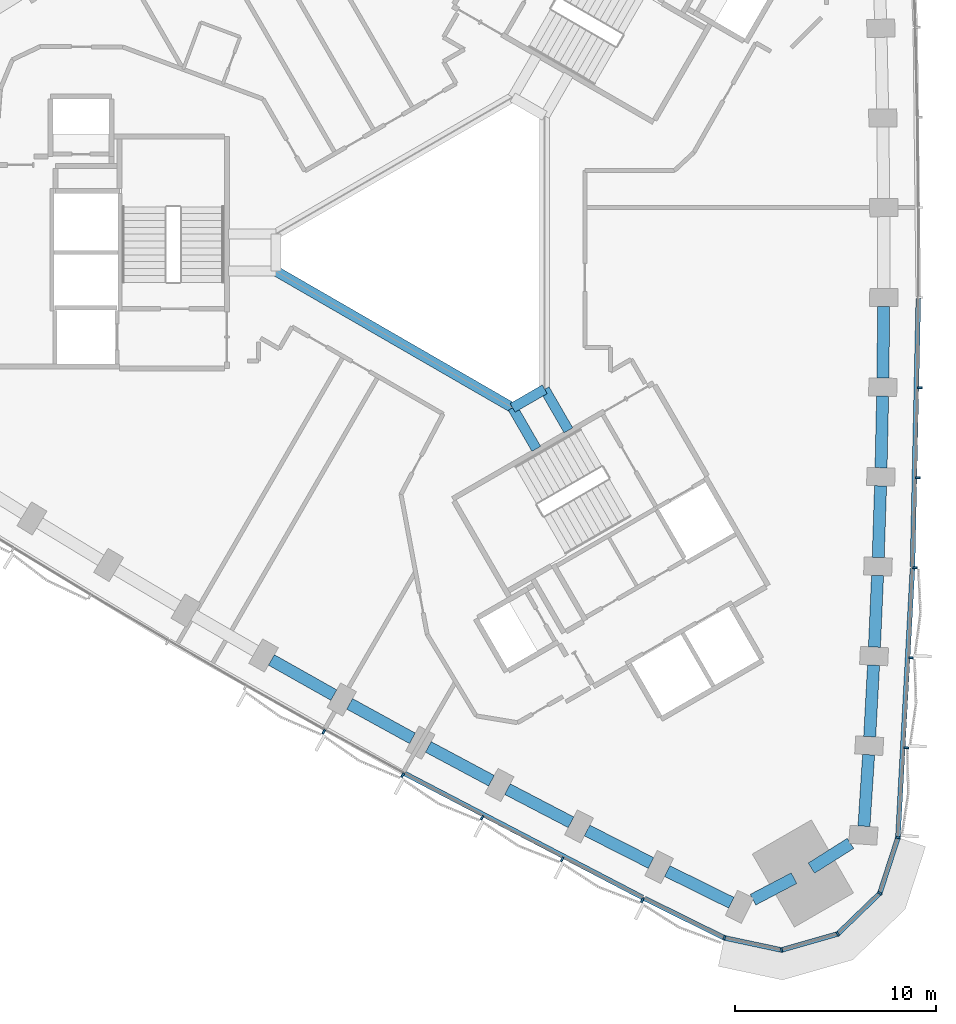
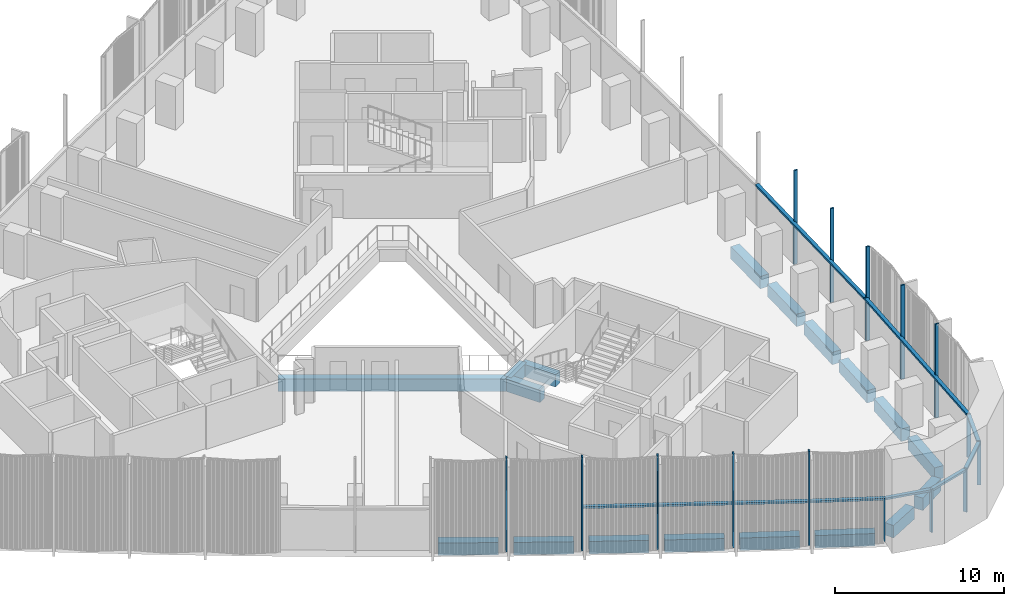
# One storey, part 3 of 15: 23 members, 18 beams, 2 elements without a shape of their own.
"""IFC4 building model written with IfcOpenShell, lengths in metres."""

from ifc_helpers import new_model, si_unit, direction, frame, origin, origin_2d, place, context, subcontext, project, spatial, rectangle, extrude, material, material_profile, profile_set, type_object, element, aggregate, save


model = new_model("IFC4")

# Units and contexts
model_context = context("Model", 3, precision=1e-05, world=origin(), true_north=direction((0.0, 1.0)))
body_context = subcontext(model_context, "Body", "Model", "MODEL_VIEW")
ifc_project = project(units=[si_unit("LENGTHUNIT", "METRE"), si_unit("AREAUNIT", "SQUARE_METRE"), si_unit("VOLUMEUNIT", "CUBIC_METRE"), si_unit("PLANEANGLEUNIT", "RADIAN"), si_unit("MASSUNIT", "GRAM", prefix="KILO")], contexts=[model_context])

# Site, building, storey
site_placement = place(None, origin())
site = spatial("IfcSite", under=ifc_project, at=site_placement, CompositionType="ELEMENT")
building_placement = place(site_placement, origin())
building = spatial("IfcBuilding", under=site, at=building_placement, Name="Tamra Quay Hotel Tower", CompositionType="ELEMENT")
storey_placement = place(building_placement, frame((0.0, 0.0, 67.39990234375)))
storey = spatial("IfcBuildingStorey", under=building, at=storey_placement, Name="L15", CompositionType="ELEMENT", Elevation=67.39990234375)

# Beams
ifc_material_1 = material(Name="Concrete M60", Category="concrete")
ifc_material_profile_1 = material_profile(ifc_material_1, rectangle(XDim=0.5, YDim=0.89990234375, at=origin_2d()), Name="ATRIUM EDGE BEAM RC 500x900")
ifc_profile_set_1 = profile_set([ifc_material_profile_1], Name="Concrete M60")
beam_type_1 = type_object("IfcBeamType", Name="ATRIUM EDGE BEAM RC 500x900", PredefinedType="BEAM", material=ifc_profile_set_1)
beam_1_placement = place(storey_placement, frame((5.0, -6.812744140625, -0.9248046875), z_axis=(-0.86602275259, -0.500004591975, 0.0), x_axis=(0.500004591975, -0.86602275259, 0.0)))
element("IfcBeam", 1, at=beam_1_placement, inside=storey, type_object=beam_type_1, Name="BM-AB1-L15", PredefinedType="BEAM", context=body_context, shape_type="SweptSolid", body=[
    extrude(rectangle(XDim=0.5, YDim=0.89990234375, at=origin_2d()), origin(), (0.0, 0.0, 1.0), 1.84765625),
])
beam_2_placement = place(storey_placement, frame((3.39990234375, -7.736572265625, -0.9248046875), z_axis=(-0.866021471679, 0.500006810544, 0.0), x_axis=(-0.500006810544, -0.866021471679, 0.0)))
element("IfcBeam", 2, at=beam_2_placement, inside=storey, type_object=beam_type_1, Name="BM-AB2-L15", PredefinedType="BEAM", context=body_context, shape_type="SweptSolid", body=[
    extrude(rectangle(XDim=0.5, YDim=0.89990234375, at=origin_2d()), origin(), (0.0, 0.0, 1.0), 13.625244140625),
])
ifc_material_profile_2 = material_profile(ifc_material_1, rectangle(XDim=0.5, YDim=0.89990234375, at=origin_2d()), Name="ATRIUM TIE BEAM RC 500x900")
ifc_profile_set_2 = profile_set([ifc_material_profile_2], Name="Concrete M60")
beam_type_2 = type_object("IfcBeamType", Name="ATRIUM TIE BEAM RC 500x900", PredefinedType="BEAM", material=ifc_profile_set_2)
for number, where, z_axis, x_axis, name in (
    (3, (5.0, -6.812744140625, -0.9248046875), (0.500029618126, -0.866008303076, 0.0), (0.866008303076, 0.500029618126, 0.0), "BM-TIE-1-L15"),
    (4, (3.39990234375, -7.736572265625, -0.9248046875), (0.500029618126, -0.866008303076, 0.0), (0.866008303076, 0.500029618126, 0.0), "BM-TIE-2-L15"),
):
    element("IfcBeam", number, at=place(storey_placement, frame(where, z_axis=z_axis, x_axis=x_axis)), inside=storey, type_object=beam_type_2, Name=name, PredefinedType="BEAM", context=body_context, shape_type="SweptSolid", body=[
        extrude(rectangle(XDim=0.5, YDim=0.89990234375, at=origin_2d()), origin(), (0.0, 0.0, 1.0), 2.362060546875),
    ])

# Curtain wall, members
ifc_material_2 = material(Name="Aluminium 6063 anodised dark grey", Category="aluminium")
curtain_wall_type_1 = type_object("IfcCurtainWallType", Name="CW1 CURTAIN WALL", PredefinedType="NOTDEFINED", material=ifc_material_2)
curtain_wall_1_placement = place(storey_placement, origin())
curtain_wall_1 = element("IfcCurtainWall", 5, at=curtain_wall_1_placement, inside=storey, type_object=curtain_wall_type_1, Name="CW1 east face L15", PredefinedType="NOTDEFINED")
ifc_material_profile_3 = material_profile(ifc_material_2, rectangle(XDim=0.239990234375, YDim=0.10009765625, at=origin_2d()), Name="MULLION 100X240")
ifc_profile_set_3 = profile_set([ifc_material_profile_3], Name="Aluminium 6063 anodised dark grey")
member_type_1 = type_object("IfcMemberType", Name="MULLION CW1 Z1", PredefinedType="MULLION", material=ifc_profile_set_3)
member_1_placement = place(storey_placement, frame((22.5986328125, -29.154052734375, 0.0), z_axis=(0.0, 0.0, 1.0), x_axis=(0.982094520957, -0.188388831692, 0.0)))
member_1 = element("IfcMember", 6, at=member_1_placement, type_object=member_type_1, Name="CW1 mullion L15.E.1", PredefinedType="MULLION", context=body_context, shape_type="SweptSolid", body=[
    extrude(rectangle(XDim=0.239990234375, YDim=0.10009765625, at=origin_2d()), origin(), (0.0, 0.0, 1.0), 3.125),
])
member_2_placement = place(storey_placement, frame((23.009521484375, -24.682373046875, 0.0), z_axis=(0.0, 0.0, 1.0), x_axis=(0.998231966976, -0.05943854058, 0.0)))
member_2 = element("IfcMember", 7, at=member_2_placement, type_object=member_type_1, Name="CW1 mullion L15.E.2", PredefinedType="MULLION", context=body_context, shape_type="SweptSolid", body=[
    extrude(rectangle(XDim=0.239990234375, YDim=0.10009765625, at=origin_2d()), origin(), (0.0, 0.0, 1.0), 6.800048828125),
])
member_3_placement = place(storey_placement, frame((23.252197265625, -20.1982421875, 0.0), z_axis=(0.0, 0.0, 1.0), x_axis=(0.998814683341, -0.048674719753, 0.0)))
member_3 = element("IfcMember", 8, at=member_3_placement, type_object=member_type_1, Name="CW1 mullion L15.E.3", PredefinedType="MULLION", context=body_context, shape_type="SweptSolid", body=[
    extrude(rectangle(XDim=0.239990234375, YDim=0.10009765625, at=origin_2d()), origin(), (0.0, 0.0, 1.0), 6.800048828125),
])
member_4_placement = place(storey_placement, frame((23.446533203125, -15.71240234375, 0.0), z_axis=(0.0, 0.0, 1.0), x_axis=(0.999282264248, -0.037880817816, 0.0)))
member_4 = element("IfcMember", 9, at=member_4_placement, type_object=member_type_1, Name="CW1 mullion L15.E.4", PredefinedType="MULLION", context=body_context, shape_type="SweptSolid", body=[
    extrude(rectangle(XDim=0.239990234375, YDim=0.10009765625, at=origin_2d()), origin(), (0.0, 0.0, 1.0), 6.800048828125),
])
member_5_placement = place(storey_placement, frame((23.59228515625, -11.224609375, 0.0), z_axis=(0.0, 0.0, 1.0), x_axis=(0.999633633589, -0.027066558645, 0.0)))
member_5 = element("IfcMember", 10, at=member_5_placement, type_object=member_type_1, Name="CW1 mullion L15.E.5", PredefinedType="MULLION", context=body_context, shape_type="SweptSolid", body=[
    extrude(rectangle(XDim=0.239990234375, YDim=0.10009765625, at=origin_2d()), origin(), (0.0, 0.0, 1.0), 6.800048828125),
])
member_6_placement = place(storey_placement, frame((23.689697265625, -6.73486328125, 0.0), z_axis=(0.0, 0.0, 1.0), x_axis=(0.999868004854, -0.016247241904, 0.0)))
member_6 = element("IfcMember", 11, at=member_6_placement, type_object=member_type_1, Name="CW1 mullion L15.E.6", PredefinedType="MULLION", context=body_context, shape_type="SweptSolid", body=[
    extrude(rectangle(XDim=0.239990234375, YDim=0.10009765625, at=origin_2d()), origin(), (0.0, 0.0, 1.0), 6.800048828125),
])

curtain_wall_type_2 = type_object("IfcCurtainWallType", Name="CW3 CURTAIN WALL", PredefinedType="NOTDEFINED", material=ifc_material_2)
curtain_wall_2_placement = place(storey_placement, origin())
curtain_wall_2 = element("IfcCurtainWall", 12, at=curtain_wall_2_placement, inside=storey, type_object=curtain_wall_type_2, Name="CW3 south-west face L15", PredefinedType="NOTDEFINED")
ifc_material_profile_4 = material_profile(ifc_material_2, rectangle(XDim=0.239990234375, YDim=0.10009765625, at=origin_2d()), Name="MULLION 100X240")
ifc_profile_set_4 = profile_set([ifc_material_profile_4], Name="Aluminium 6063 anodised dark grey")
member_type_2 = type_object("IfcMemberType", Name="MULLION CW3 Z1", PredefinedType="MULLION", material=ifc_profile_set_4)
member_7_placement = place(storey_placement, frame((-6.01220703125, -23.88330078125, 0.0), z_axis=(0.0, 0.0, 1.0), x_axis=(-0.485863478197, -0.874034713587, 0.0)))
member_7 = element("IfcMember", 13, at=member_7_placement, type_object=member_type_2, Name="CW3 mullion L15.SW.9", PredefinedType="MULLION", context=body_context, shape_type="SweptSolid", body=[
    extrude(rectangle(XDim=0.239990234375, YDim=0.10009765625, at=origin_2d()), origin(), (0.0, 0.0, 1.0), 6.800048828125),
])
member_8_placement = place(storey_placement, frame((-2.075439453125, -26.0439453125, 0.0), z_axis=(0.0, 0.0, 1.0), x_axis=(-0.476376489415, -0.879241400488, 0.0)))
member_8 = element("IfcMember", 14, at=member_8_placement, type_object=member_type_2, Name="CW3 mullion L15.SW.10", PredefinedType="MULLION", context=body_context, shape_type="SweptSolid", body=[
    extrude(rectangle(XDim=0.239990234375, YDim=0.10009765625, at=origin_2d()), origin(), (0.0, 0.0, 1.0), 6.800048828125),
])
member_9_placement = place(storey_placement, frame((1.884033203125, -28.16162109375, 0.0), z_axis=(0.0, 0.0, 1.0), x_axis=(-0.46683538158, -0.884344235298, 0.0)))
member_9 = element("IfcMember", 15, at=member_9_placement, type_object=member_type_2, Name="CW3 mullion L15.SW.11", PredefinedType="MULLION", context=body_context, shape_type="SweptSolid", body=[
    extrude(rectangle(XDim=0.239990234375, YDim=0.10009765625, at=origin_2d()), origin(), (0.0, 0.0, 1.0), 6.800048828125),
])
member_10_placement = place(storey_placement, frame((5.865966796875, -30.236083984375, 0.0), z_axis=(0.0, 0.0, 1.0), x_axis=(-0.457253797843, -0.889336249322, 0.0)))
member_10 = element("IfcMember", 16, at=member_10_placement, type_object=member_type_2, Name="CW3 mullion L15.SW.12", PredefinedType="MULLION", context=body_context, shape_type="SweptSolid", body=[
    extrude(rectangle(XDim=0.239990234375, YDim=0.10009765625, at=origin_2d()), origin(), (0.0, 0.0, 1.0), 6.800048828125),
])
member_11_placement = place(storey_placement, frame((9.870849609375, -32.26806640625, 0.0), z_axis=(0.0, 0.0, 1.0), x_axis=(-0.447640697382, -0.894213512561, 0.0)))
member_11 = element("IfcMember", 17, at=member_11_placement, type_object=member_type_2, Name="CW3 mullion L15.SW.13", PredefinedType="MULLION", context=body_context, shape_type="SweptSolid", body=[
    extrude(rectangle(XDim=0.239990234375, YDim=0.10009765625, at=origin_2d()), origin(), (0.0, 0.0, 1.0), 6.800048828125),
])
member_12_placement = place(storey_placement, frame((13.948974609375, -34.148193359375, 0.0), z_axis=(0.0, 0.0, 1.0), x_axis=(-0.327897746444, -0.944713219912, 0.0)))
member_12 = element("IfcMember", 18, at=member_12_placement, type_object=member_type_2, Name="CW3 mullion L15.SW.14", PredefinedType="MULLION", context=body_context, shape_type="SweptSolid", body=[
    extrude(rectangle(XDim=0.239990234375, YDim=0.10009765625, at=origin_2d()), origin(), (0.0, 0.0, 1.0), 3.125),
])
member_13_placement = place(storey_placement, frame((16.7998046875, -34.754150390625, 0.0), z_axis=(0.0, 0.0, 1.0), x_axis=(0.034915999879, -0.999390250579, 0.0)))
member_13 = element("IfcMember", 19, at=member_13_placement, type_object=member_type_2, Name="CW3 mullion L15.SW.15", PredefinedType="MULLION", context=body_context, shape_type="SweptSolid", body=[
    extrude(rectangle(XDim=0.239990234375, YDim=0.10009765625, at=origin_2d()), origin(), (0.0, 0.0, 1.0), 3.125),
])
member_14_placement = place(storey_placement, frame((19.6015625, -33.95068359375, 0.0), z_axis=(0.0, 0.0, 1.0), x_axis=(0.5, -0.866025403784, 0.0)))
member_14 = element("IfcMember", 20, at=member_14_placement, type_object=member_type_2, Name="CW3 mullion L15.SW.16", PredefinedType="MULLION", context=body_context, shape_type="SweptSolid", body=[
    extrude(rectangle(XDim=0.239990234375, YDim=0.10009765625, at=origin_2d()), origin(), (0.0, 0.0, 1.0), 3.125),
])
member_15_placement = place(storey_placement, frame((21.697998046875, -31.926025390625, 0.0), z_axis=(0.0, 0.0, 1.0), x_axis=(0.848039345356, -0.529933268183, 0.0)))
member_15 = element("IfcMember", 21, at=member_15_placement, type_object=member_type_2, Name="CW3 mullion L15.SW.17", PredefinedType="MULLION", context=body_context, shape_type="SweptSolid", body=[
    extrude(rectangle(XDim=0.239990234375, YDim=0.10009765625, at=origin_2d()), origin(), (0.0, 0.0, 1.0), 3.125),
])

# Beams
ifc_material_profile_5 = material_profile(ifc_material_1, rectangle(XDim=0.60009765625, YDim=0.89990234375, at=origin_2d()), Name="SPANDREL BEAM RC 600x900")
ifc_profile_set_5 = profile_set([ifc_material_profile_5], Name="Concrete M60")
beam_type_3 = type_object("IfcBeamType", Name="SPANDREL BEAM RC 600x900", PredefinedType="SPANDREL", material=ifc_profile_set_5)
beam_3_placement = place(storey_placement, frame((20.908203125, -28.584716796875, -0.9248046875), z_axis=(0.064749077985, 0.99790157676, 0.0), x_axis=(-0.99790157676, 0.064749077985, 0.0)))
element("IfcBeam", 22, at=beam_3_placement, inside=storey, type_object=beam_type_3, Name="BM-SP1-000-L15", PredefinedType="SPANDREL", context=body_context, shape_type="SweptSolid", body=[
    extrude(rectangle(XDim=0.60009765625, YDim=0.89990234375, at=origin_2d()), origin(), (0.0, 0.0, 1.0), 3.57080078125),
])
beam_4_placement = place(storey_placement, frame((21.193115234375, -24.123046875, -0.9248046875), z_axis=(0.054026860576, 0.998539482613, 0.0), x_axis=(-0.998539482613, 0.054026860576, 0.0)))
element("IfcBeam", 23, at=beam_4_placement, inside=storey, type_object=beam_type_3, Name="BM-SP1-001-L15", PredefinedType="SPANDREL", context=body_context, shape_type="SweptSolid", body=[
    extrude(rectangle(XDim=0.60009765625, YDim=0.89990234375, at=origin_2d()), origin(), (0.0, 0.0, 1.0), 3.56982421875),
])
for number, where, z_axis, x_axis, name in (
    (24, (21.429931640625, -19.659423828125, -0.9248046875), (0.043282922957, 0.99906285517, 0.0), (-0.99906285517, 0.043282922957, 0.0), "BM-SP1-002-L15"),
    (25, (21.618408203125, -15.19287109375, -0.9248046875), (0.032547568535, 0.999470187541, 0.0), (-0.999470187541, 0.032547568535, 0.0), "BM-SP1-003-L15"),
):
    element("IfcBeam", number, at=place(storey_placement, frame(where, z_axis=z_axis, x_axis=x_axis)), inside=storey, type_object=beam_type_3, Name=name, PredefinedType="SPANDREL", context=body_context, shape_type="SweptSolid", body=[
        extrude(rectangle(XDim=0.60009765625, YDim=0.89990234375, at=origin_2d()), origin(), (0.0, 0.0, 1.0), 3.570556640625),
    ])
beam_5_placement = place(storey_placement, frame((21.7587890625, -10.724609375, -0.9248046875), z_axis=(0.021679013576, 0.999764982569, 0.0), x_axis=(-0.999764982569, 0.021679013576, 0.0)))
element("IfcBeam", 26, at=beam_5_placement, inside=storey, type_object=beam_type_3, Name="BM-SP1-004-L15", PredefinedType="SPANDREL", context=body_context, shape_type="SweptSolid", body=[
    extrude(rectangle(XDim=0.60009765625, YDim=0.89990234375, at=origin_2d()), origin(), (0.0, 0.0, 1.0), 3.56982421875),
])
for number, where, z_axis, x_axis, name in (
    (27, (21.850830078125, -6.255615234375, -0.9248046875), (0.010803527021, 0.999941640199, 0.0), (-0.999941640199, 0.010803527021, 0.0), "BM-SP1-005-L15"),
    (28, (-8.619384765625, -20.299560546875, -0.9248046875), (0.871431243693, -0.49051767299, 0.0), (0.49051767299, 0.871431243693, 0.0), "BM-SP1-037-L15"),
):
    element("IfcBeam", number, at=place(storey_placement, frame(where, z_axis=z_axis, x_axis=x_axis)), inside=storey, type_object=beam_type_3, Name=name, PredefinedType="SPANDREL", context=body_context, shape_type="SweptSolid", body=[
        extrude(rectangle(XDim=0.60009765625, YDim=0.89990234375, at=origin_2d()), origin(), (0.0, 0.0, 1.0), 3.570556640625),
    ])
beam_6_placement = place(storey_placement, frame((-4.72119140625, -22.48828125, -0.9248046875), z_axis=(0.876617015828, -0.481188744216, 0.0), x_axis=(0.481188744216, 0.876617015828, 0.0)))
element("IfcBeam", 29, at=beam_6_placement, inside=storey, type_object=beam_type_3, Name="BM-SP1-038-L15", PredefinedType="SPANDREL", context=body_context, shape_type="SweptSolid", body=[
    extrude(rectangle(XDim=0.60009765625, YDim=0.89990234375, at=origin_2d()), origin(), (0.0, 0.0, 1.0), 3.56982421875),
])
beam_7_placement = place(storey_placement, frame((-0.80029296875, -24.634765625, -0.9248046875), z_axis=(0.881809110934, -0.471606501094, 0.0), x_axis=(0.471606501094, 0.881809110934, 0.0)))
element("IfcBeam", 30, at=beam_7_placement, inside=storey, type_object=beam_type_3, Name="BM-SP1-039-L15", PredefinedType="SPANDREL", context=body_context, shape_type="SweptSolid", body=[
    extrude(rectangle(XDim=0.60009765625, YDim=0.89990234375, at=origin_2d()), origin(), (0.0, 0.0, 1.0), 3.5703125),
])
beam_8_placement = place(storey_placement, frame((3.14404296875, -26.73876953125, -0.9248046875), z_axis=(0.886863886749, -0.462030785101, 0.0), x_axis=(0.462030785101, 0.886863886749, 0.0)))
element("IfcBeam", 31, at=beam_8_placement, inside=storey, type_object=beam_type_3, Name="BM-SP1-040-L15", PredefinedType="SPANDREL", context=body_context, shape_type="SweptSolid", body=[
    extrude(rectangle(XDim=0.60009765625, YDim=0.89990234375, at=origin_2d()), origin(), (0.0, 0.0, 1.0), 3.570556640625),
])
beam_9_placement = place(storey_placement, frame((7.111083984375, -28.800048828125, -0.9248046875), z_axis=(0.891785652583, -0.452458119439, 0.0), x_axis=(0.452458119439, 0.891785652583, 0.0)))
element("IfcBeam", 32, at=beam_9_placement, inside=storey, type_object=beam_type_3, Name="BM-SP1-041-L15", PredefinedType="SPANDREL", context=body_context, shape_type="SweptSolid", body=[
    extrude(rectangle(XDim=0.60009765625, YDim=0.89990234375, at=origin_2d()), origin(), (0.0, 0.0, 1.0), 3.56982421875),
])
beam_10_placement = place(storey_placement, frame((11.099365234375, -30.818115234375, -0.9248046875), z_axis=(0.896604328032, -0.442832563113, 0.0), x_axis=(0.442832563113, 0.896604328032, 0.0)))
element("IfcBeam", 33, at=beam_10_placement, inside=storey, type_object=beam_type_3, Name="BM-SP1-042-L15", PredefinedType="SPANDREL", context=body_context, shape_type="SweptSolid", body=[
    extrude(rectangle(XDim=0.60009765625, YDim=0.89990234375, at=origin_2d()), origin(), (0.0, 0.0, 1.0), 3.57080078125),
])
beam_11_placement = place(storey_placement, frame((15.377197265625, -32.24609375, -0.9248046875), z_axis=(0.885674154565, 0.464307324879, 0.0), x_axis=(-0.464307324879, 0.885674154565, 0.0)))
element("IfcBeam", 34, at=beam_11_placement, inside=storey, type_object=beam_type_3, Name="BM-SP1-043-L15", PredefinedType="SPANDREL", context=body_context, shape_type="SweptSolid", body=[
    extrude(rectangle(XDim=0.60009765625, YDim=0.89990234375, at=origin_2d()), origin(), (0.0, 0.0, 1.0), 2.308349609375),
])
beam_12_placement = place(storey_placement, frame((18.28662109375, -30.6748046875, -0.9248046875), z_axis=(0.844978382684, 0.53480046073, 0.0), x_axis=(-0.53480046073, 0.844978382684, 0.0)))
element("IfcBeam", 35, at=beam_12_placement, inside=storey, type_object=beam_type_3, Name="BM-SP1-044-L15", PredefinedType="SPANDREL", context=body_context, shape_type="SweptSolid", body=[
    extrude(rectangle(XDim=0.60009765625, YDim=0.89990234375, at=origin_2d()), origin(), (0.0, 0.0, 1.0), 2.30859375),
])

# Member
ifc_material_profile_6 = material_profile(ifc_material_2, rectangle(XDim=0.239990234375, YDim=0.139892578125, at=origin_2d()), Name="TRANSOM 240X140")
ifc_profile_set_6 = profile_set([ifc_material_profile_6], Name="Aluminium 6063 anodised dark grey")
member_type_3 = type_object("IfcMemberType", Name="TRANSOM CW1 Z1", PredefinedType="USERDEFINED", material=ifc_profile_set_6)
member_16_placement = place(storey_placement, frame((22.60205078125, -29.104248046875, 3.05517578125), z_axis=(0.054048600578, 0.998538306113, 0.0), x_axis=(-0.998538306113, 0.054048600578, 0.0)))
member_16 = element("IfcMember", 36, at=member_16_placement, type_object=member_type_3, Name="CW1 transom L15.E.1", ObjectType="TRANSOM", PredefinedType="USERDEFINED", context=body_context, shape_type="SweptSolid", body=[
    extrude(rectangle(XDim=0.239990234375, YDim=0.139892578125, at=origin_2d()), origin(), (0.0, 0.0, 1.0), 13.365966796875),
])

member_17_placement = place(storey_placement, frame((23.328369140625, -15.65771484375, 3.05517578125), z_axis=(0.021644299832, 0.999765734702, 0.0), x_axis=(-0.999765734702, 0.021644299832, 0.0)))
member_17 = element("IfcMember", 37, at=member_17_placement, type_object=member_type_3, Name="CW1 transom L15.E.4", ObjectType="TRANSOM", PredefinedType="USERDEFINED", context=body_context, shape_type="SweptSolid", body=[
    extrude(rectangle(XDim=0.239990234375, YDim=0.139892578125, at=origin_2d()), origin(), (0.0, 0.0, 1.0), 13.366455078125),
])

aggregate(curtain_wall_1, [member_1, member_16, member_2, member_3, member_4, member_17, member_5, member_6])

ifc_material_profile_7 = material_profile(ifc_material_2, rectangle(XDim=0.239990234375, YDim=0.139892578125, at=origin_2d()), Name="TRANSOM 240X140")
ifc_profile_set_7 = profile_set([ifc_material_profile_7], Name="Aluminium 6063 anodised dark grey")
member_type_4 = type_object("IfcMemberType", Name="TRANSOM CW3 Z1", PredefinedType="USERDEFINED", material=ifc_profile_set_7)
member_18_placement = place(storey_placement, frame((-1.97412109375, -25.9619140625, 3.05517578125), z_axis=(0.88684719541, -0.462062822562, 0.0), x_axis=(0.462062822562, 0.88684719541, 0.0)))
member_18 = element("IfcMember", 38, at=member_18_placement, type_object=member_type_4, Name="CW3 transom L15.SW.10", ObjectType="TRANSOM", PredefinedType="USERDEFINED", context=body_context, shape_type="SweptSolid", body=[
    extrude(rectangle(XDim=0.239990234375, YDim=0.139892578125, at=origin_2d()), origin(), (0.0, 0.0, 1.0), 13.36669921875),
])

member_19_placement = place(storey_placement, frame((9.969482421875, -32.182861328125, 3.05517578125), z_axis=(0.896619497593, -0.442801847936, 0.0), x_axis=(0.442801847936, 0.896619497593, 0.0)))
member_19 = element("IfcMember", 39, at=member_19_placement, type_object=member_type_4, Name="CW3 transom L15.SW.13", ObjectType="TRANSOM", PredefinedType="USERDEFINED", context=body_context, shape_type="SweptSolid", body=[
    extrude(rectangle(XDim=0.239990234375, YDim=0.139892578125, at=origin_2d()), origin(), (0.0, 0.0, 1.0), 4.38818359375),
])

member_20_placement = place(storey_placement, frame((13.997802734375, -34.15869140625, 3.05517578125), z_axis=(0.97816524345, -0.207828671039, 0.0), x_axis=(0.207828671039, 0.97816524345, 0.0)))
member_20 = element("IfcMember", 40, at=member_20_placement, type_object=member_type_4, Name="CW3 transom L15.SW.14", ObjectType="TRANSOM", PredefinedType="USERDEFINED", context=body_context, shape_type="SweptSolid", body=[
    extrude(rectangle(XDim=0.239990234375, YDim=0.139892578125, at=origin_2d()), origin(), (0.0, 0.0, 1.0), 2.814697265625),
])

member_21_placement = place(storey_placement, frame((16.847900390625, -34.740234375, 3.05517578125), z_axis=(0.961255085045, 0.275660409698, 0.0), x_axis=(-0.275660409698, 0.961255085045, 0.0)))
member_21 = element("IfcMember", 41, at=member_21_placement, type_object=member_type_4, Name="CW3 transom L15.SW.15", ObjectType="TRANSOM", PredefinedType="USERDEFINED", context=body_context, shape_type="SweptSolid", body=[
    extrude(rectangle(XDim=0.239990234375, YDim=0.139892578125, at=origin_2d()), origin(), (0.0, 0.0, 1.0), 2.814697265625),
])

member_22_placement = place(storey_placement, frame((19.637451171875, -33.916015625, 3.05517578125), z_axis=(0.71931626538, 0.694682740796, 0.0), x_axis=(-0.694682740796, 0.71931626538, 0.0)))
member_22 = element("IfcMember", 42, at=member_22_placement, type_object=member_type_4, Name="CW3 transom L15.SW.16", ObjectType="TRANSOM", PredefinedType="USERDEFINED", context=body_context, shape_type="SweptSolid", body=[
    extrude(rectangle(XDim=0.239990234375, YDim=0.139892578125, at=origin_2d()), origin(), (0.0, 0.0, 1.0), 2.814697265625),
])

member_23_placement = place(storey_placement, frame((21.71337890625, -31.87841796875, 3.05517578125), z_axis=(0.309062535631, 0.951041717839, 0.0), x_axis=(-0.951041717839, 0.309062535631, 0.0)))
member_23 = element("IfcMember", 43, at=member_23_placement, type_object=member_type_4, Name="CW3 transom L15.SW.17", ObjectType="TRANSOM", PredefinedType="USERDEFINED", context=body_context, shape_type="SweptSolid", body=[
    extrude(rectangle(XDim=0.239990234375, YDim=0.139892578125, at=origin_2d()), origin(), (0.0, 0.0, 1.0), 2.814453125),
])

aggregate(curtain_wall_2, [member_7, member_8, member_18, member_9, member_10, member_11, member_19, member_12, member_20, member_13, member_21, member_14, member_22, member_15, member_23])

save(model, "model.ifc")
